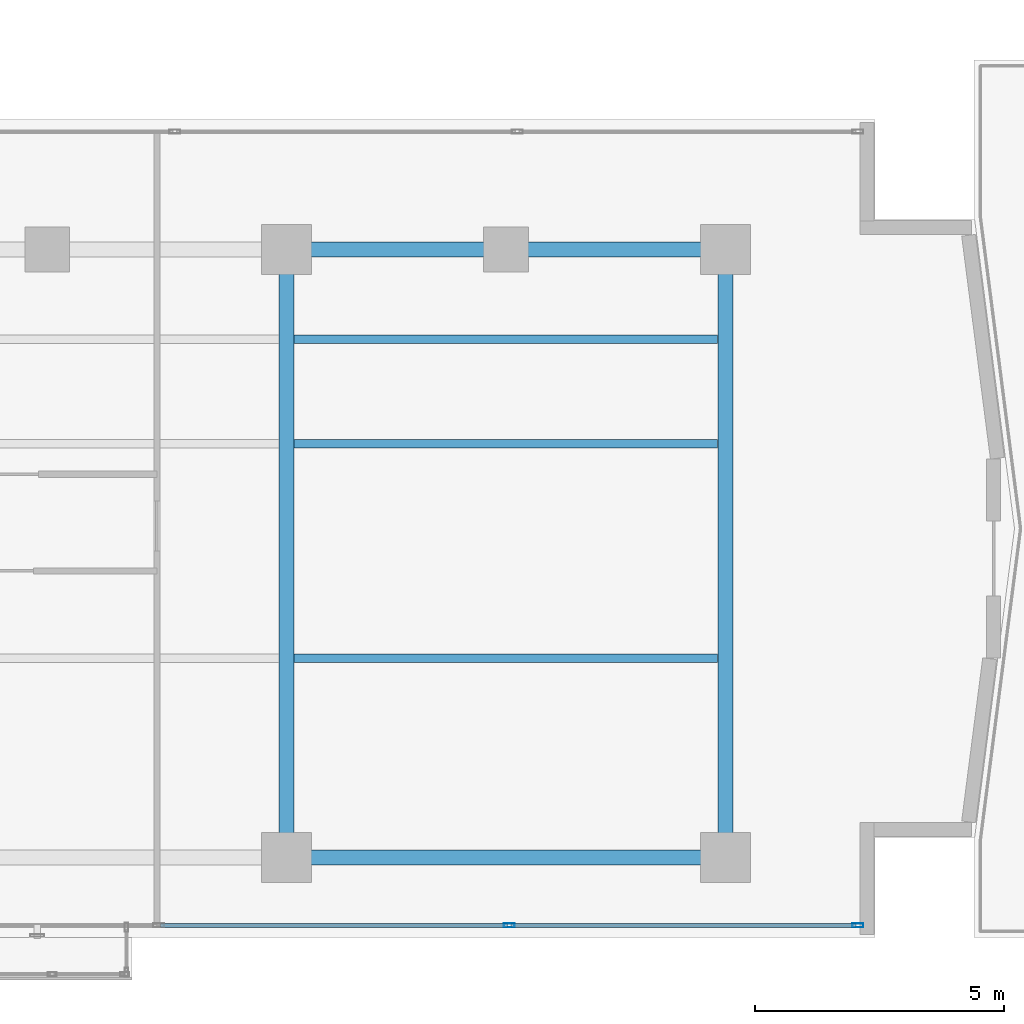
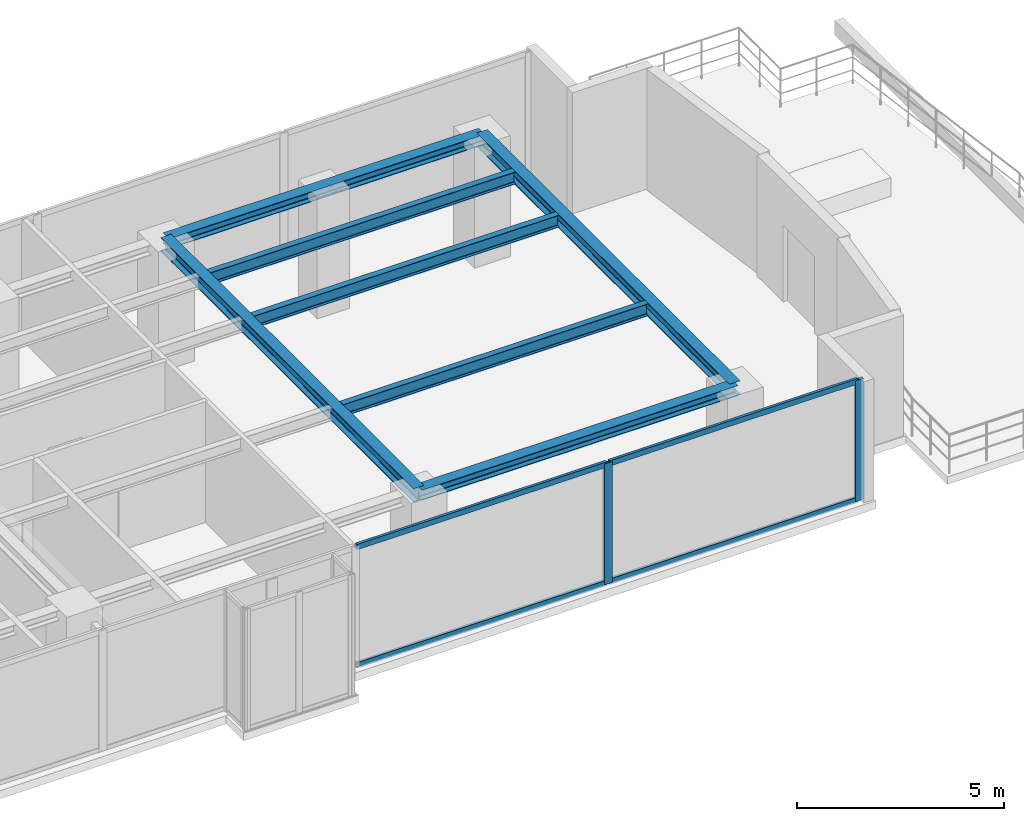
# One storey, part 11 of 25: 7 beams, 6 members, 1 element without a shape of its own.
"""IFC4 building model written with IfcOpenShell, lengths in metres."""

from ifc_helpers import new_model, si_unit, direction, frame, origin, origin_with_axes, origin_2d, place, context, subcontext, project, spatial, hollow_rectangle, i_section, extrude, source, transform, mapped, material, layer, layer_set, material_profile, profile_set, type_object, element, aggregate, save


model = new_model("IFC4")

# Units and contexts
model_context = context("Model", 3, precision=1e-05, world=origin(), true_north=direction((0.0, 1.0)))
body_context = subcontext(model_context, "Body", "Model", "MODEL_VIEW")
ifc_project = project(units=[si_unit("LENGTHUNIT", "METRE"), si_unit("AREAUNIT", "SQUARE_METRE"), si_unit("VOLUMEUNIT", "CUBIC_METRE"), si_unit("PLANEANGLEUNIT", "RADIAN"), si_unit("MASSUNIT", "GRAM", prefix="KILO")], contexts=[model_context])

# Site, building, storey
site_placement = place(None, origin())
site = spatial("IfcSite", under=ifc_project, at=site_placement, CompositionType="ELEMENT")
building_placement = place(site_placement, origin())
building = spatial("IfcBuilding", under=site, at=building_placement, Name="Kolvaren Waterfront Exchange", CompositionType="ELEMENT")
storey_placement = place(building_placement, frame((0.0, 0.0, 204.5)))
storey = spatial("IfcBuildingStorey", under=building, at=storey_placement, Name="L52", CompositionType="ELEMENT", Elevation=204.5)

# Beams
ifc_material_1 = material(Name="Steel S355", Category="steel")
ifc_material_profile_1 = material_profile(ifc_material_1, i_section(OverallWidth=0.300048828125, OverallDepth=0.300048828125, WebThickness=0.010986328125, FlangeThickness=0.01904296875, FilletRadius=0.027099609375, at=origin_2d()), Name="HEB300")
ifc_profile_set_1 = profile_set([ifc_material_profile_1], Name="Steel S355")
beam_type_1 = type_object("IfcBeamType", Name="STR-BM-HEB300", PredefinedType="SPANDREL", material=ifc_profile_set_1)
for number, where, z_axis, x_axis, name in (
    (1, (36.800048828125, 5.199951171875, 3.409912109375), (1.0, 0.0, 0.0), (0.0, 1.0, 0.0), "L52 east-arm spandrel S3"),
    (2, (36.800048828125, 17.39990234375, 3.409912109375), (1.0, 0.0, 0.0), (0.0, 1.0, 0.0), "L52 east-arm spandrel N3"),
):
    element("IfcBeam", number, at=place(storey_placement, frame(where, z_axis=z_axis, x_axis=x_axis)), inside=storey, type_object=beam_type_1, Name=name, PredefinedType="SPANDREL", context=body_context, shape_type="SweptSolid", body=[
        extrude(i_section(OverallWidth=0.300048828125, OverallDepth=0.300048828125, WebThickness=0.010986328125, FlangeThickness=0.01904296875, FilletRadius=0.027099609375, at=origin_2d()), origin(), (0.0, 0.0, 1.0), 8.800048828125),
    ])
ifc_material_profile_2 = material_profile(ifc_material_1, i_section(OverallWidth=0.300048828125, OverallDepth=0.39990234375, WebThickness=0.013427734375, FlangeThickness=0.02392578125, FilletRadius=0.027099609375, at=origin_2d()), Name="HEB400")
ifc_profile_set_2 = profile_set([ifc_material_profile_2], Name="Steel S355")
beam_type_2 = type_object("IfcBeamType", Name="STR-BM-HEB400", PredefinedType="BEAM", material=ifc_profile_set_2)
for number, where, z_axis, x_axis, name in (
    (3, (36.800048828125, 5.199951171875, 3.360107421875), (0.0, 1.0, 0.0), (-1.0, 0.0, 0.0), "L52 east-arm transverse girder X36"),
    (4, (45.60009765625, 5.199951171875, 3.360107421875), (0.0, 1.0, 0.0), (-1.0, 0.0, 0.0), "L52 east-arm transverse girder X45"),
):
    element("IfcBeam", number, at=place(storey_placement, frame(where, z_axis=z_axis, x_axis=x_axis)), inside=storey, type_object=beam_type_2, Name=name, PredefinedType="BEAM", context=body_context, shape_type="SweptSolid", body=[
        extrude(i_section(OverallWidth=0.300048828125, OverallDepth=0.39990234375, WebThickness=0.013427734375, FlangeThickness=0.02392578125, FilletRadius=0.027099609375, at=origin_2d()), origin(), (0.0, 0.0, 1.0), 12.199951171875),
    ])
ifc_material_profile_3 = material_profile(ifc_material_1, i_section(OverallWidth=0.169921875, OverallDepth=0.360107421875, WebThickness=0.008056640625, FlangeThickness=0.0126953125, FilletRadius=0.01806640625, at=origin_2d()), Name="IPE360")
ifc_profile_set_3 = profile_set([ifc_material_profile_3], Name="Steel S355")
beam_type_3 = type_object("IfcBeamType", Name="STR-BM-IPE360", PredefinedType="JOIST", material=ifc_profile_set_3)
for number, where, z_axis, x_axis, name in (
    (5, (36.951904296875, 13.5, 3.3798828125), (1.0, 0.0, 0.0), (0.0, 1.0, 0.0), "L52 east-arm composite joist 3A"),
    (6, (36.951904296875, 15.60009765625, 3.3798828125), (1.0, 0.0, 0.0), (0.0, 1.0, 0.0), "L52 east-arm composite joist 3C"),
    (7, (36.951904296875, 9.199951171875, 3.3798828125), (1.0, 0.0, 0.0), (0.0, 1.0, 0.0), "L52 east-arm composite joist 3B"),
):
    element("IfcBeam", number, at=place(storey_placement, frame(where, z_axis=z_axis, x_axis=x_axis)), inside=storey, type_object=beam_type_3, Name=name, PredefinedType="JOIST", context=body_context, shape_type="SweptSolid", body=[
        extrude(i_section(OverallWidth=0.169921875, OverallDepth=0.360107421875, WebThickness=0.008056640625, FlangeThickness=0.0126953125, FilletRadius=0.01806640625, at=origin_2d()), origin(), (0.0, 0.0, 1.0), 8.49609375),
    ])

# Curtain wall, members
ifc_material_2 = material(Name="Anodised bronze aluminium 6063-T6", Category="aluminium")
ifc_layer = layer(ifc_material_2, 0.219970703125, Name="Anodised bronze aluminium 6063-T6")
ifc_layer_set = layer_set([ifc_layer], Name="Anodised bronze aluminium 6063-T6")
curtain_wall_type = type_object("IfcCurtainWallType", Name="ARC-CW-SYS1", PredefinedType="USERDEFINED", material=ifc_layer_set)
curtain_wall_placement = place(storey_placement, origin())
curtain_wall = element("IfcCurtainWall", 8, at=curtain_wall_placement, inside=storey, type_object=curtain_wall_type, Name="L52 stick curtain wall CW1 (CW-L52-S)", ObjectType="STICK CURTAIN WALL", PredefinedType="USERDEFINED")
ifc_material_3 = material(Name="Anodised aluminium 6063-T6", Category="aluminium")
ifc_material_profile_4 = material_profile(ifc_material_3, hollow_rectangle(XDim=0.080078125, YDim=0.219970703125, WallThickness=0.0048828125, at=origin_2d()), Name="ALU-MUL-220x80x5")
ifc_profile_set_4 = profile_set([ifc_material_profile_4], Name="Anodised aluminium 6063-T6")
member_type_1 = type_object("IfcMemberType", Name="ARC-CWM-220", PredefinedType="MULLION", material=ifc_profile_set_4)
shared_shape_1 = source(origin_with_axes(), body_context, "Body", "SweptSolid", [
    extrude(hollow_rectangle(XDim=0.080078125, YDim=0.219970703125, WallThickness=0.0048828125, at=origin_2d()), origin(), (0.0, 0.0, 1.0), 3.56005859375),
])
member_1_placement = place(storey_placement, frame((41.2666015625, 3.840087890625, 0.0), z_axis=(0.0, 0.0, 1.0), x_axis=(0.0, 1.0, 0.0)))
member_1 = element("IfcMember", 9, at=member_1_placement, type_object=member_type_1, Name="CW1 mullion 6", PredefinedType="MULLION", context=body_context, shape_type="MappedRepresentation", body=[
    mapped(shared_shape_1, transform((0.0, 0.0, 0.0), x_axis=(1.0, 0.0, 0.0), y_axis=(0.0, 1.0, 0.0), z_axis=(0.0, 0.0, 1.0), scale=1.0)),
])
member_2_placement = place(storey_placement, frame((48.260009765625, 3.840087890625, 0.0), z_axis=(0.0, 0.0, 1.0), x_axis=(0.0, 1.0, 0.0)))
member_2 = element("IfcMember", 10, at=member_2_placement, type_object=member_type_1, Name="CW1 mullion 7", PredefinedType="MULLION", context=body_context, shape_type="MappedRepresentation", body=[
    mapped(shared_shape_1, transform((0.0, 0.0, 0.0), x_axis=(1.0, 0.0, 0.0), y_axis=(0.0, 1.0, 0.0), z_axis=(0.0, 0.0, 1.0), scale=1.0)),
])
ifc_material_profile_5 = material_profile(ifc_material_3, hollow_rectangle(XDim=0.074951171875, YDim=0.159912109375, WallThickness=0.00439453125, at=origin_2d()), Name="ALU-TRN-160x75x4.5")
ifc_profile_set_5 = profile_set([ifc_material_profile_5], Name="Anodised aluminium 6063-T6")
member_type_2 = type_object("IfcMemberType", Name="ARC-CWT-160", PredefinedType="USERDEFINED", material=ifc_profile_set_5)
shared_shape_2 = source(origin_with_axes(), body_context, "Body", "SweptSolid", [
    extrude(hollow_rectangle(XDim=0.074951171875, YDim=0.159912109375, WallThickness=0.00439453125, at=origin_2d()), origin(), (0.0, 0.0, 1.0), 6.913330078125),
])
member_3_placement = place(storey_placement, frame((41.306640625, 3.840087890625, 0.03759765625), z_axis=(1.0, 0.0, 0.0), x_axis=(0.0, 1.0, 0.0)))
member_3 = element("IfcMember", 11, at=member_3_placement, type_object=member_type_2, Name="CW1 transom 6.1", ObjectType="TRANSOM", PredefinedType="USERDEFINED", context=body_context, shape_type="MappedRepresentation", body=[
    mapped(shared_shape_2, transform((0.0, 0.0, 0.0), x_axis=(1.0, 0.0, 0.0), y_axis=(0.0, 1.0, 0.0), z_axis=(0.0, 0.0, 1.0), scale=1.0)),
])
member_4_placement = place(storey_placement, frame((41.306640625, 3.840087890625, 3.5224609375), z_axis=(1.0, 0.0, 0.0), x_axis=(0.0, 1.0, 0.0)))
member_4 = element("IfcMember", 12, at=member_4_placement, type_object=member_type_2, Name="CW1 transom 6.2", ObjectType="TRANSOM", PredefinedType="USERDEFINED", context=body_context, shape_type="MappedRepresentation", body=[
    mapped(shared_shape_2, transform((0.0, 0.0, 0.0), x_axis=(1.0, 0.0, 0.0), y_axis=(0.0, 1.0, 0.0), z_axis=(0.0, 0.0, 1.0), scale=1.0)),
])
shared_shape_3 = source(origin_with_axes(), body_context, "Body", "SweptSolid", [
    extrude(hollow_rectangle(XDim=0.074951171875, YDim=0.159912109375, WallThickness=0.00439453125, at=origin_2d()), origin(), (0.0, 0.0, 1.0), 6.953125),
])
member_5_placement = place(storey_placement, frame((34.2734375, 3.840087890625, 0.03759765625), z_axis=(1.0, 0.0, 0.0), x_axis=(0.0, 1.0, 0.0)))
member_5 = element("IfcMember", 13, at=member_5_placement, type_object=member_type_2, Name="CW1 transom 5.1", ObjectType="TRANSOM", PredefinedType="USERDEFINED", context=body_context, shape_type="MappedRepresentation", body=[
    mapped(shared_shape_3, transform((0.0, 0.0, 0.0), x_axis=(1.0, 0.0, 0.0), y_axis=(0.0, 1.0, 0.0), z_axis=(0.0, 0.0, 1.0), scale=1.0)),
])
member_6_placement = place(storey_placement, frame((34.2734375, 3.840087890625, 3.5224609375), z_axis=(1.0, 0.0, 0.0), x_axis=(0.0, 1.0, 0.0)))
member_6 = element("IfcMember", 14, at=member_6_placement, type_object=member_type_2, Name="CW1 transom 5.2", ObjectType="TRANSOM", PredefinedType="USERDEFINED", context=body_context, shape_type="MappedRepresentation", body=[
    mapped(shared_shape_3, transform((0.0, 0.0, 0.0), x_axis=(1.0, 0.0, 0.0), y_axis=(0.0, 1.0, 0.0), z_axis=(0.0, 0.0, 1.0), scale=1.0)),
])
aggregate(curtain_wall, [member_1, member_2, member_5, member_6, member_3, member_4])

save(model, "model.ifc")
